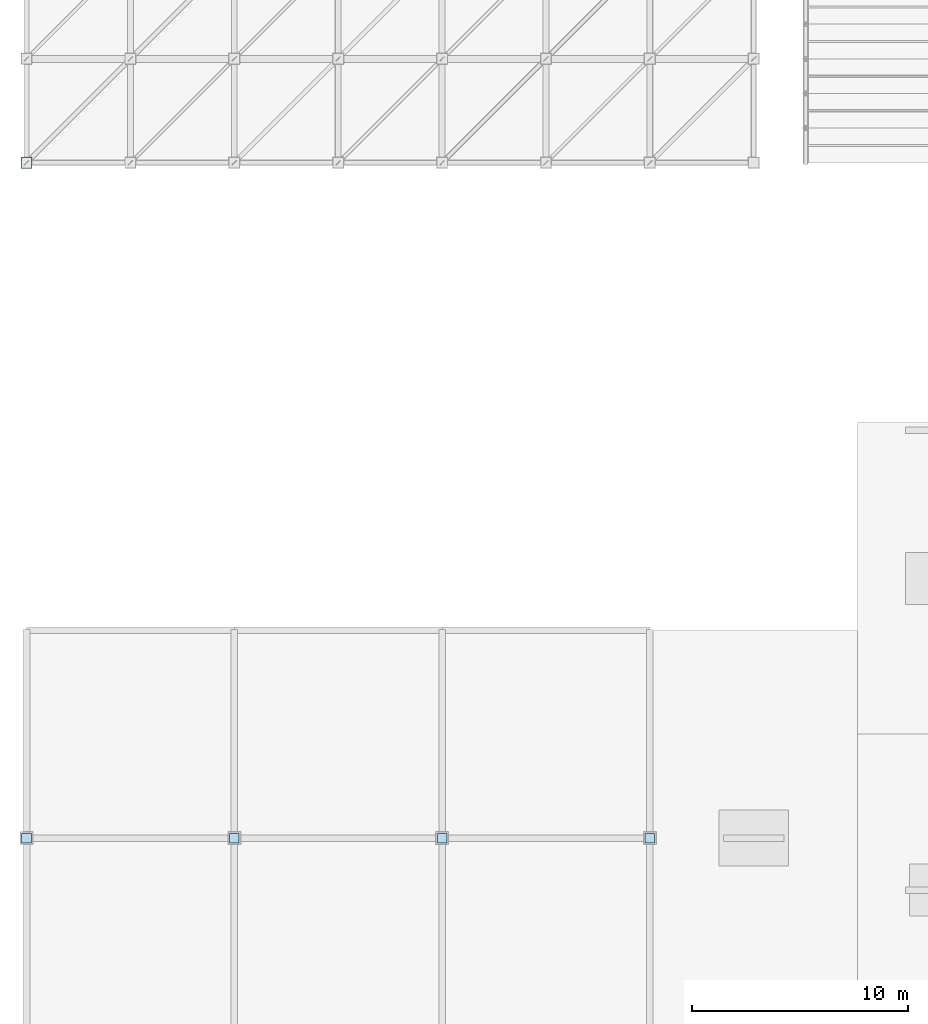
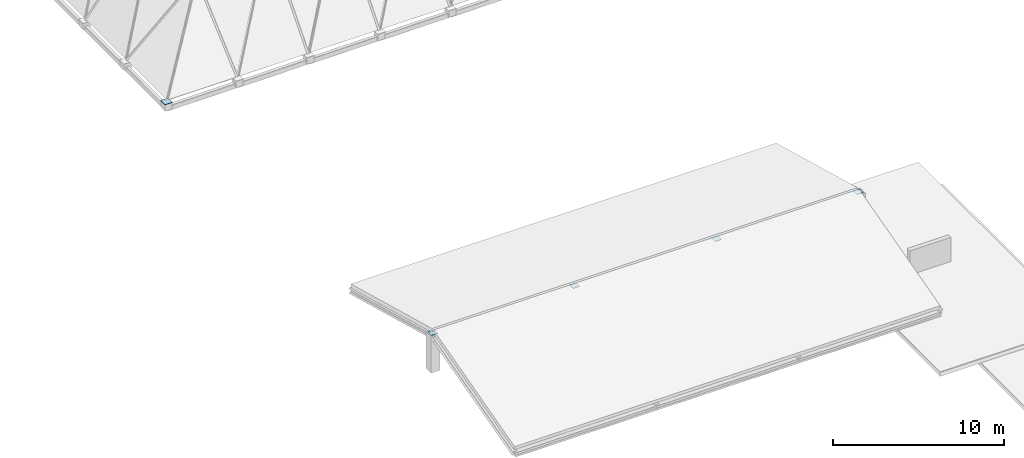
# One storey, part 40 of 70: 5 plates.
"""IFC4 building model written with IfcOpenShell, lengths in metres."""

from ifc_helpers import new_model, si_unit, direction, frame, origin, origin_2d, place, context, subcontext, project, spatial, rectangle, extrude, material, layer, layer_set, type_object, element, save


model = new_model("IFC4")

# Units and contexts
model_context = context("Model", 3, precision=1e-05, world=origin(), true_north=direction((0.0, 1.0)))
body_context = subcontext(model_context, "Body", "Model", "MODEL_VIEW")
ifc_project = project(units=[si_unit("LENGTHUNIT", "METRE"), si_unit("AREAUNIT", "SQUARE_METRE"), si_unit("VOLUMEUNIT", "CUBIC_METRE"), si_unit("PLANEANGLEUNIT", "RADIAN"), si_unit("MASSUNIT", "GRAM", prefix="KILO")], contexts=[model_context])

# Site, building, storey
site_placement = place(None, origin())
site = spatial("IfcSite", under=ifc_project, at=site_placement, CompositionType="ELEMENT")
building_placement = place(site_placement, origin())
building = spatial("IfcBuilding", under=site, at=building_placement, Name="Mavantir Sound Aquarium", CompositionType="ELEMENT")
storey_placement = place(building_placement, frame((0.0, 0.0, 27.0)))
storey = spatial("IfcBuildingStorey", under=building, at=storey_placement, Name="RF", CompositionType="ELEMENT", Elevation=27.0)

# Plates
ifc_material = material(Name="Structural Steel ASTM A572 Gr50", Category="steel")
ifc_layer_1 = layer(ifc_material, 0.02001953125, Name="Structural Steel ASTM A572 Gr50")
ifc_layer_set_1 = layer_set([ifc_layer_1], Name="Structural Steel ASTM A572 Gr50")
plate_type_1 = type_object("IfcPlateType", Name="PLT-ENDCAP-20", PredefinedType="SHEET", material=ifc_layer_set_1)
for number, where, z_axis, x_axis, name in (
    (1, (0.0, 9.60009765625, -4.60009765625), (0.0, 0.0, 1.0), (1.0, 0.0, 0.0), "Pavilion roof post cap 1"),
    (2, (9.60009765625, 9.60009765625, -4.60009765625), (0.0, 0.0, 1.0), (1.0, 0.0, 0.0), "Pavilion roof post cap 2"),
    (3, (19.199951171875, 9.60009765625, -4.60009765625), (0.0, 0.0, 1.0), (1.0, 0.0, 0.0), "Pavilion roof post cap 3"),
    (4, (28.800048828125, 9.60009765625, -4.60009765625), (0.0, 0.0, 1.0), (1.0, 0.0, 0.0), "Pavilion roof post cap 4"),
):
    element("IfcPlate", number, at=place(storey_placement, frame(where, z_axis=z_axis, x_axis=x_axis)), inside=storey, type_object=plate_type_1, Name=name, PredefinedType="SHEET", context=body_context, shape_type="SweptSolid", body=[
        extrude(rectangle(XDim=0.43994140625, YDim=0.43994140625, at=origin_2d()), origin(), (0.0, 0.0, 1.0), 0.02001953125),
    ])
ifc_layer_2 = layer(ifc_material, 0.02490234375, Name="Structural Steel ASTM A572 Gr50")
ifc_layer_set_2 = layer_set([ifc_layer_2], Name="Structural Steel ASTM A572 Gr50")
plate_type_2 = type_object("IfcPlateType", Name="PLT-NODE-25", PredefinedType="SHEET", material=ifc_layer_set_2)
plate_placement = place(storey_placement, frame((0.0, 40.800048828125, -6.972412109375), z_axis=(0.0, 0.0, 1.0), x_axis=(1.0, 0.0, 0.0)))
element("IfcPlate", 5, at=plate_placement, inside=storey, type_object=plate_type_2, Name="Gridshell steel node cap plate NP-01", PredefinedType="SHEET", context=body_context, shape_type="SweptSolid", body=[
    extrude(rectangle(XDim=0.52001953125, YDim=0.52001953125, at=origin_2d()), origin(), (0.0, 0.0, 1.0), 0.02490234375),
])

save(model, "model.ifc")
